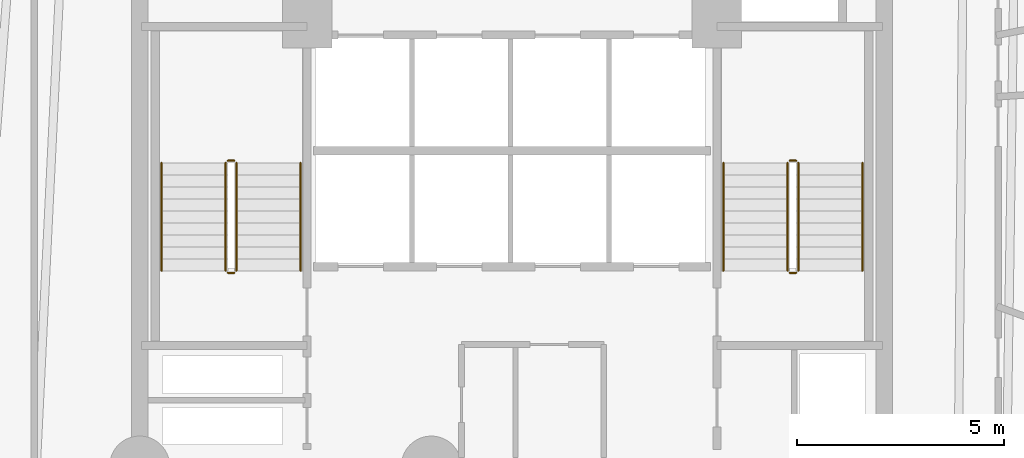
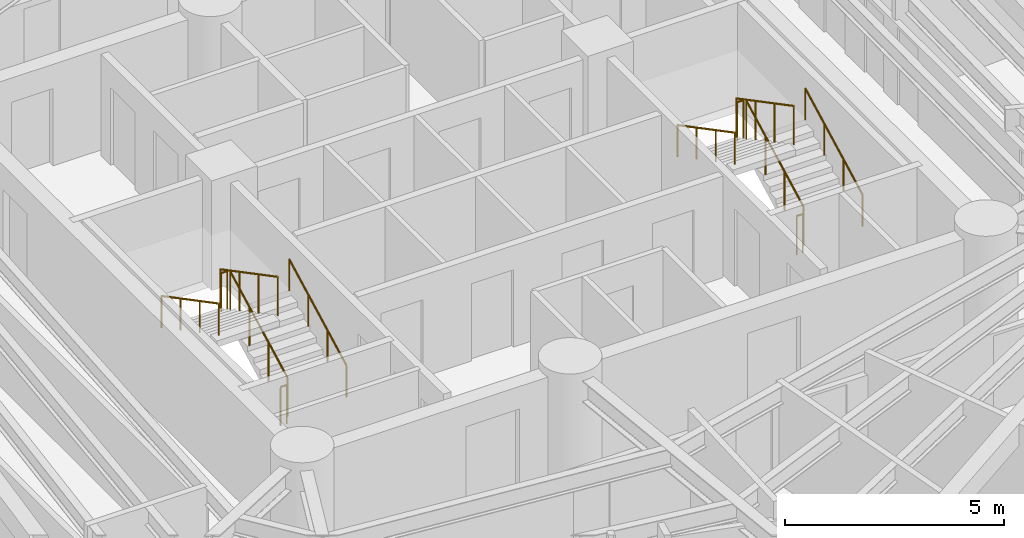
# One storey, part 8 of 9: 12 railings.
"""IFC4 building model written with IfcOpenShell, lengths in metres."""

from ifc_helpers import new_model, si_unit, direction, frame, origin, origin_2d, place, context, subcontext, project, spatial, circle, extrude, material, layer, layer_set, type_object, element, save


model = new_model("IFC4")

# Units and contexts
model_context = context("Model", 3, precision=1e-05, world=origin(), true_north=direction((0.0, 1.0)))
body_context = subcontext(model_context, "Body", "Model", "MODEL_VIEW")
ifc_project = project(units=[si_unit("LENGTHUNIT", "METRE"), si_unit("AREAUNIT", "SQUARE_METRE"), si_unit("VOLUMEUNIT", "CUBIC_METRE"), si_unit("PLANEANGLEUNIT", "RADIAN"), si_unit("MASSUNIT", "GRAM", prefix="KILO")], contexts=[model_context])

# Site, building, storey
site_placement = place(None, origin())
site = spatial("IfcSite", under=ifc_project, at=site_placement, CompositionType="ELEMENT")
building_placement = place(site_placement, origin())
building = spatial("IfcBuilding", under=site, at=building_placement, Name="Karkom Vertical University and Central Library", CompositionType="ELEMENT")
storey_placement = place(building_placement, frame((0.0, 0.0, 96.199951171875)))
storey = spatial("IfcBuildingStorey", under=building, at=storey_placement, Name="L25", CompositionType="ELEMENT", Elevation=96.199951171875)

# Railings
ifc_material_1 = material(Name="Painted galvanised steel balustrade", Category="steel")
ifc_layer_1 = layer(ifc_material_1, 0.06005859375)
ifc_layer_set_1 = layer_set([ifc_layer_1], Name="Painted galvanised steel balustrade")
railing_type_1 = type_object("IfcRailingType", Name="INT-RL-GUARD1100", PredefinedType="GUARDRAIL", material=ifc_layer_set_1)
railing_1_placement = place(storey_placement, frame((21.840087890625, 23.02001953125, 0.152587890625)))
element("IfcRailing", 1, at=railing_1_placement, inside=storey, type_object=railing_type_1, Name="Level 25 ST-1 stair guard 1", PredefinedType="GUARDRAIL", context=body_context, shape_type="SweptSolid", body=[
    extrude(circle(Radius=0.02392578125, at=origin_2d()), frame((0.0, 0.0, 1.076171875), z_axis=(0.0, 0.885065446896, 0.46546659892), x_axis=(-1.0, 0.0, 0.0)), (0.0, 0.0, 1.0), 2.94873046875),
    extrude(circle(Radius=0.02099609375, at=origin_2d()), origin(), (0.0, 0.0, 1.0), 1.052001953125),
    extrude(circle(Radius=0.02099609375, at=origin_2d()), frame((0.0, 0.869873046875, 0.45751953125)), (0.0, 0.0, 1.0), 1.052001953125),
    extrude(circle(Radius=0.02099609375, at=origin_2d()), frame((0.0, 1.739990234375, 0.9150390625)), (0.0, 0.0, 1.0), 1.052001953125),
    extrude(circle(Radius=0.02099609375, at=origin_2d()), frame((0.0, 2.60986328125, 1.37255859375)), (0.0, 0.0, 1.0), 1.052001953125),
])
railing_2_placement = place(storey_placement, frame((21.7900390625, 25.679931640625, 1.525146484375)))
element("IfcRailing", 2, at=railing_2_placement, inside=storey, type_object=railing_type_1, Name="Level 25 ST-1 stair guard 2", PredefinedType="GUARDRAIL", context=body_context, shape_type="SweptSolid", body=[
    extrude(circle(Radius=0.02392578125, at=origin_2d()), frame((0.0, 0.0, 1.076171875), z_axis=(-1.0, 0.0, 0.0), x_axis=(0.0, -1.0, 0.0)), (0.0, 0.0, 1.0), 0.16015625),
    extrude(circle(Radius=0.02099609375, at=origin_2d()), origin(), (0.0, 0.0, 1.0), 1.052001953125),
    extrude(circle(Radius=0.02099609375, at=origin_2d()), frame((-0.16015625, 0.0, 0.0)), (0.0, 0.0, 1.0), 1.052001953125),
])
railing_3_placement = place(storey_placement, frame((21.580078125, 25.6298828125, 1.677490234375)))
element("IfcRailing", 3, at=railing_3_placement, inside=storey, type_object=railing_type_1, Name="Level 25 ST-1 stair guard 3", PredefinedType="GUARDRAIL", context=body_context, shape_type="SweptSolid", body=[
    extrude(circle(Radius=0.02392578125, at=origin_2d()), frame((0.0, 0.0, 1.076171875), z_axis=(0.0, -0.885065446896, 0.46546659892), x_axis=(1.0, 0.0, 0.0)), (0.0, 0.0, 1.0), 2.94873046875),
    extrude(circle(Radius=0.02099609375, at=origin_2d()), origin(), (0.0, 0.0, 1.0), 1.052001953125),
    extrude(circle(Radius=0.02099609375, at=origin_2d()), frame((0.0, -0.869873046875, 0.45751953125)), (0.0, 0.0, 1.0), 1.052001953125),
    extrude(circle(Radius=0.02099609375, at=origin_2d()), frame((0.0, -1.739990234375, 0.9150390625)), (0.0, 0.0, 1.0), 1.052001953125),
    extrude(circle(Radius=0.02099609375, at=origin_2d()), frame((0.0, -2.60986328125, 1.37255859375)), (0.0, 0.0, 1.0), 1.052001953125),
])
railing_4_placement = place(storey_placement, frame((21.7900390625, 22.969970703125, 0.0)))
element("IfcRailing", 4, at=railing_4_placement, inside=storey, type_object=railing_type_1, Name="Level 25 ST-1 stair guard 4", PredefinedType="GUARDRAIL", context=body_context, shape_type="SweptSolid", body=[
    extrude(circle(Radius=0.02392578125, at=origin_2d()), frame((0.0, 0.0, 1.076171875), z_axis=(-1.0, 0.0, 0.0), x_axis=(0.0, -1.0, 0.0)), (0.0, 0.0, 1.0), 0.16015625),
    extrude(circle(Radius=0.02099609375, at=origin_2d()), origin(), (0.0, 0.0, 1.0), 1.052001953125),
    extrude(circle(Radius=0.02099609375, at=origin_2d()), frame((-0.16015625, 0.0, 0.0)), (0.0, 0.0, 1.0), 1.052001953125),
])
railing_5_placement = place(storey_placement, frame((35.419921875, 23.02001953125, 0.152587890625)))
element("IfcRailing", 5, at=railing_5_placement, inside=storey, type_object=railing_type_1, Name="Level 25 ST-2 stair guard 1", PredefinedType="GUARDRAIL", context=body_context, shape_type="SweptSolid", body=[
    extrude(circle(Radius=0.02392578125, at=origin_2d()), frame((0.0, 0.0, 1.076171875), z_axis=(0.0, 0.885065446896, 0.46546659892), x_axis=(-1.0, 0.0, 0.0)), (0.0, 0.0, 1.0), 2.94873046875),
    extrude(circle(Radius=0.02099609375, at=origin_2d()), origin(), (0.0, 0.0, 1.0), 1.052001953125),
    extrude(circle(Radius=0.02099609375, at=origin_2d()), frame((0.0, 0.869873046875, 0.45751953125)), (0.0, 0.0, 1.0), 1.052001953125),
    extrude(circle(Radius=0.02099609375, at=origin_2d()), frame((0.0, 1.739990234375, 0.9150390625)), (0.0, 0.0, 1.0), 1.052001953125),
    extrude(circle(Radius=0.02099609375, at=origin_2d()), frame((0.0, 2.60986328125, 1.37255859375)), (0.0, 0.0, 1.0), 1.052001953125),
])
railing_6_placement = place(storey_placement, frame((35.3701171875, 25.679931640625, 1.525146484375)))
element("IfcRailing", 6, at=railing_6_placement, inside=storey, type_object=railing_type_1, Name="Level 25 ST-2 stair guard 2", PredefinedType="GUARDRAIL", context=body_context, shape_type="SweptSolid", body=[
    extrude(circle(Radius=0.02392578125, at=origin_2d()), frame((0.0, 0.0, 1.076171875), z_axis=(-1.0, 0.0, 0.0), x_axis=(0.0, -1.0, 0.0)), (0.0, 0.0, 1.0), 0.16015625),
    extrude(circle(Radius=0.02099609375, at=origin_2d()), origin(), (0.0, 0.0, 1.0), 1.052001953125),
    extrude(circle(Radius=0.02099609375, at=origin_2d()), frame((-0.16015625, 0.0, 0.0)), (0.0, 0.0, 1.0), 1.052001953125),
])
railing_7_placement = place(storey_placement, frame((35.159912109375, 25.6298828125, 1.677490234375)))
element("IfcRailing", 7, at=railing_7_placement, inside=storey, type_object=railing_type_1, Name="Level 25 ST-2 stair guard 3", PredefinedType="GUARDRAIL", context=body_context, shape_type="SweptSolid", body=[
    extrude(circle(Radius=0.02392578125, at=origin_2d()), frame((0.0, 0.0, 1.076171875), z_axis=(0.0, -0.885065446896, 0.46546659892), x_axis=(1.0, 0.0, 0.0)), (0.0, 0.0, 1.0), 2.94873046875),
    extrude(circle(Radius=0.02099609375, at=origin_2d()), origin(), (0.0, 0.0, 1.0), 1.052001953125),
    extrude(circle(Radius=0.02099609375, at=origin_2d()), frame((0.0, -0.869873046875, 0.45751953125)), (0.0, 0.0, 1.0), 1.052001953125),
    extrude(circle(Radius=0.02099609375, at=origin_2d()), frame((0.0, -1.739990234375, 0.9150390625)), (0.0, 0.0, 1.0), 1.052001953125),
    extrude(circle(Radius=0.02099609375, at=origin_2d()), frame((0.0, -2.60986328125, 1.37255859375)), (0.0, 0.0, 1.0), 1.052001953125),
])
railing_8_placement = place(storey_placement, frame((35.3701171875, 22.969970703125, 0.0)))
element("IfcRailing", 8, at=railing_8_placement, inside=storey, type_object=railing_type_1, Name="Level 25 ST-2 stair guard 4", PredefinedType="GUARDRAIL", context=body_context, shape_type="SweptSolid", body=[
    extrude(circle(Radius=0.02392578125, at=origin_2d()), frame((0.0, 0.0, 1.076171875), z_axis=(-1.0, 0.0, 0.0), x_axis=(0.0, -1.0, 0.0)), (0.0, 0.0, 1.0), 0.16015625),
    extrude(circle(Radius=0.02099609375, at=origin_2d()), origin(), (0.0, 0.0, 1.0), 1.052001953125),
    extrude(circle(Radius=0.02099609375, at=origin_2d()), frame((-0.16015625, 0.0, 0.0)), (0.0, 0.0, 1.0), 1.052001953125),
])
ifc_material_2 = material(Name="Brushed stainless-steel tubular handrail", Category="steel")
ifc_layer_2 = layer(ifc_material_2, 0.048095703125)
ifc_layer_set_2 = layer_set([ifc_layer_2], Name="Brushed stainless-steel tubular handrail")
railing_type_2 = type_object("IfcRailingType", Name="INT-RL-HAND920", PredefinedType="HANDRAIL", material=ifc_layer_set_2)
railing_9_placement = place(storey_placement, frame((23.389892578125, 23.02001953125, 0.152587890625)))
element("IfcRailing", 9, at=railing_9_placement, inside=storey, type_object=railing_type_2, Name="Level 25 ST-1 stair handrail 1", PredefinedType="HANDRAIL", context=body_context, shape_type="SweptSolid", body=[
    extrude(circle(Radius=0.02392578125, at=origin_2d()), frame((0.0, 0.0, 0.8759765625), z_axis=(0.0, 0.885065446896, 0.46546659892), x_axis=(-1.0, 0.0, 0.0)), (0.0, 0.0, 1.0), 2.94873046875),
    extrude(circle(Radius=0.02099609375, at=origin_2d()), origin(), (0.0, 0.0, 1.0), 0.851806640625),
    extrude(circle(Radius=0.02099609375, at=origin_2d()), frame((0.0, 0.869873046875, 0.45751953125)), (0.0, 0.0, 1.0), 0.851806640625),
    extrude(circle(Radius=0.02099609375, at=origin_2d()), frame((0.0, 1.739990234375, 0.9150390625)), (0.0, 0.0, 1.0), 0.851806640625),
    extrude(circle(Radius=0.02099609375, at=origin_2d()), frame((0.0, 2.60986328125, 1.37255859375)), (0.0, 0.0, 1.0), 0.851806640625),
])
railing_10_placement = place(storey_placement, frame((20.030029296875, 25.6298828125, 1.677490234375)))
element("IfcRailing", 10, at=railing_10_placement, inside=storey, type_object=railing_type_2, Name="Level 25 ST-1 stair handrail 2", PredefinedType="HANDRAIL", context=body_context, shape_type="SweptSolid", body=[
    extrude(circle(Radius=0.02392578125, at=origin_2d()), frame((0.0, 0.0, 0.8759765625), z_axis=(0.0, -0.885065446896, 0.46546659892), x_axis=(1.0, 0.0, 0.0)), (0.0, 0.0, 1.0), 2.94873046875),
    extrude(circle(Radius=0.02099609375, at=origin_2d()), origin(), (0.0, 0.0, 1.0), 0.851806640625),
    extrude(circle(Radius=0.02099609375, at=origin_2d()), frame((0.0, -0.869873046875, 0.45751953125)), (0.0, 0.0, 1.0), 0.851806640625),
    extrude(circle(Radius=0.02099609375, at=origin_2d()), frame((0.0, -1.739990234375, 0.9150390625)), (0.0, 0.0, 1.0), 0.851806640625),
    extrude(circle(Radius=0.02099609375, at=origin_2d()), frame((0.0, -2.60986328125, 1.37255859375)), (0.0, 0.0, 1.0), 0.851806640625),
])
railing_11_placement = place(storey_placement, frame((36.969970703125, 23.02001953125, 0.152587890625)))
element("IfcRailing", 11, at=railing_11_placement, inside=storey, type_object=railing_type_2, Name="Level 25 ST-2 stair handrail 1", PredefinedType="HANDRAIL", context=body_context, shape_type="SweptSolid", body=[
    extrude(circle(Radius=0.02392578125, at=origin_2d()), frame((0.0, 0.0, 0.8759765625), z_axis=(0.0, 0.885065446896, 0.46546659892), x_axis=(-1.0, 0.0, 0.0)), (0.0, 0.0, 1.0), 2.94873046875),
    extrude(circle(Radius=0.02099609375, at=origin_2d()), origin(), (0.0, 0.0, 1.0), 0.851806640625),
    extrude(circle(Radius=0.02099609375, at=origin_2d()), frame((0.0, 0.869873046875, 0.45751953125)), (0.0, 0.0, 1.0), 0.851806640625),
    extrude(circle(Radius=0.02099609375, at=origin_2d()), frame((0.0, 1.739990234375, 0.9150390625)), (0.0, 0.0, 1.0), 0.851806640625),
    extrude(circle(Radius=0.02099609375, at=origin_2d()), frame((0.0, 2.60986328125, 1.37255859375)), (0.0, 0.0, 1.0), 0.851806640625),
])
railing_12_placement = place(storey_placement, frame((33.610107421875, 25.6298828125, 1.677490234375)))
element("IfcRailing", 12, at=railing_12_placement, inside=storey, type_object=railing_type_2, Name="Level 25 ST-2 stair handrail 2", PredefinedType="HANDRAIL", context=body_context, shape_type="SweptSolid", body=[
    extrude(circle(Radius=0.02392578125, at=origin_2d()), frame((0.0, 0.0, 0.8759765625), z_axis=(0.0, -0.885065446896, 0.46546659892), x_axis=(1.0, 0.0, 0.0)), (0.0, 0.0, 1.0), 2.94873046875),
    extrude(circle(Radius=0.02099609375, at=origin_2d()), origin(), (0.0, 0.0, 1.0), 0.851806640625),
    extrude(circle(Radius=0.02099609375, at=origin_2d()), frame((0.0, -0.869873046875, 0.45751953125)), (0.0, 0.0, 1.0), 0.851806640625),
    extrude(circle(Radius=0.02099609375, at=origin_2d()), frame((0.0, -1.739990234375, 0.9150390625)), (0.0, 0.0, 1.0), 0.851806640625),
    extrude(circle(Radius=0.02099609375, at=origin_2d()), frame((0.0, -2.60986328125, 1.37255859375)), (0.0, 0.0, 1.0), 0.851806640625),
])

save(model, "model.ifc")
